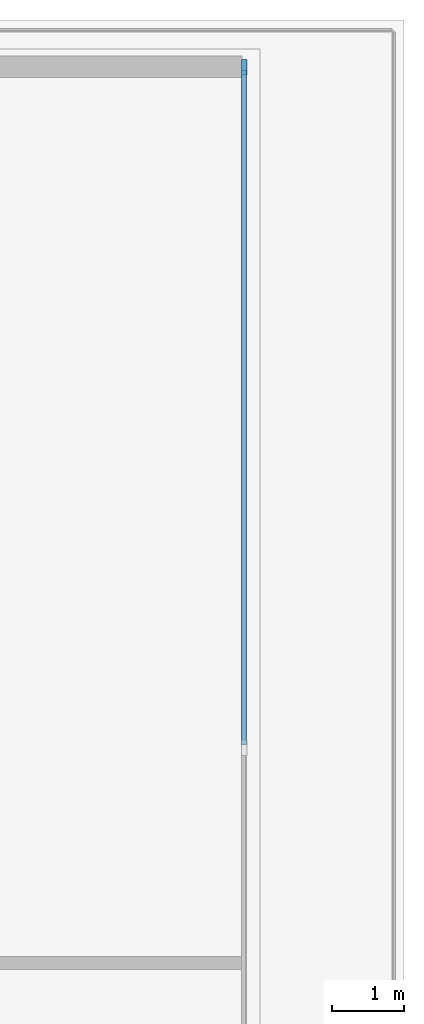
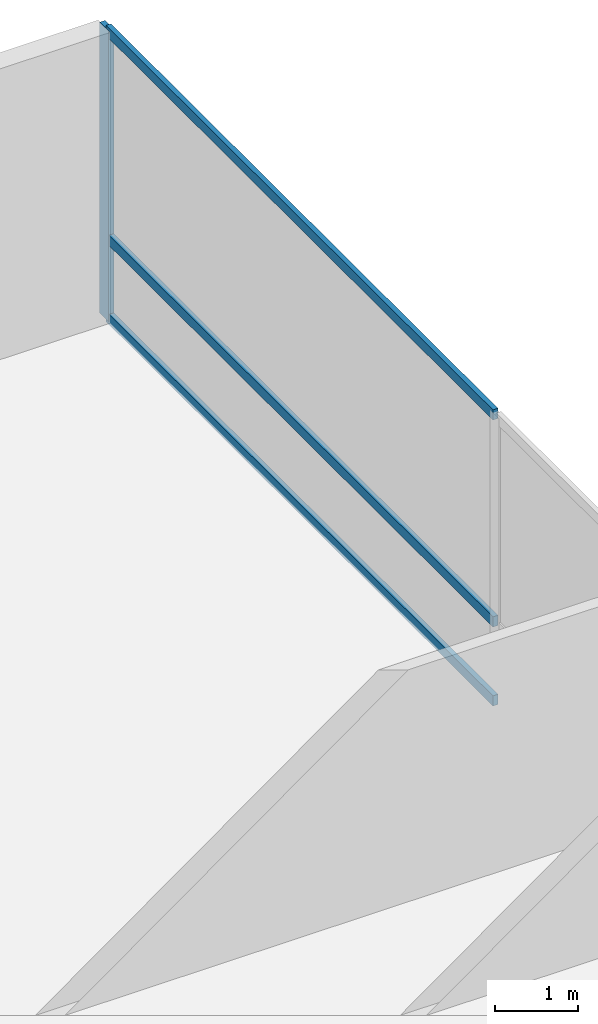
# One storey, part 8 of 26: 4 members, 1 element without a shape of its own.
"""IFC4 building model written with IfcOpenShell, lengths in metres."""

from ifc_helpers import new_model, si_unit, direction, frame, origin, origin_2d, place, context, subcontext, project, spatial, rectangle, extrude, material, layer, layer_set, material_profile, profile_set, type_object, element, aggregate, save


model = new_model("IFC4")

# Units and contexts
model_context = context("Model", 3, precision=1e-05, world=origin(), true_north=direction((0.0, 1.0)))
body_context = subcontext(model_context, "Body", "Model", "MODEL_VIEW")
ifc_project = project(units=[si_unit("LENGTHUNIT", "METRE"), si_unit("AREAUNIT", "SQUARE_METRE"), si_unit("VOLUMEUNIT", "CUBIC_METRE"), si_unit("PLANEANGLEUNIT", "RADIAN"), si_unit("MASSUNIT", "GRAM", prefix="KILO")], contexts=[model_context])

# Site, building, storey
site_placement = place(None, origin())
site = spatial("IfcSite", under=ifc_project, at=site_placement, CompositionType="ELEMENT")
building_placement = place(site_placement, origin())
building = spatial("IfcBuilding", under=site, at=building_placement, Name="Qalmaran Belvedere Hotel", CompositionType="ELEMENT")
storey_placement = place(building_placement, frame((0.0, 0.0, 19.199951171875)))
storey = spatial("IfcBuildingStorey", under=building, at=storey_placement, Name="L04", CompositionType="ELEMENT", Elevation=19.199951171875)

# Curtain wall, members
ifc_material = material(Name="Anodised Bronze Aluminium", Category="aluminium")
ifc_layer = layer(ifc_material, 0.219970703125, Name="Anodised Bronze Aluminium")
ifc_layer_set = layer_set([ifc_layer], Name="Anodised Bronze Aluminium")
curtain_wall_type = type_object("IfcCurtainWallType", Name="CW1-PODIUM-BRONZE", PredefinedType="NOTDEFINED", material=ifc_layer_set)
curtain_wall_placement = place(storey_placement, origin())
curtain_wall = element("IfcCurtainWall", 1, at=curtain_wall_placement, inside=storey, type_object=curtain_wall_type, Name="L04 Curtain Wall CW1", PredefinedType="NOTDEFINED")
ifc_material_profile_1 = material_profile(ifc_material, rectangle(XDim=0.074951171875, YDim=0.219970703125, at=origin_2d()), Name="CWM75X220")
ifc_profile_set_1 = profile_set([ifc_material_profile_1], Name="Anodised Bronze Aluminium")
member_type_1 = type_object("IfcMemberType", Name="CWM-75X220", PredefinedType="MULLION", material=ifc_profile_set_1)
member_1_placement = place(storey_placement, frame((67.780029296875, 49.142578125, 0.0), z_axis=(0.0, 0.0, 1.0), x_axis=(-1.0, 0.0, 0.0)))
member_1 = element("IfcMember", 2, at=member_1_placement, type_object=member_type_1, Name="CW1 mullion 6", PredefinedType="MULLION", context=body_context, shape_type="SweptSolid", body=[
    extrude(rectangle(XDim=0.074951171875, YDim=0.219970703125, at=origin_2d()), origin(), (0.0, 0.0, 1.0), 4.300048828125),
])
ifc_material_profile_2 = material_profile(ifc_material, rectangle(XDim=0.070068359375, YDim=0.14990234375, at=origin_2d()), Name="CWT70X150")
ifc_profile_set_2 = profile_set([ifc_material_profile_2], Name="Anodised Bronze Aluminium")
member_type_2 = type_object("IfcMemberType", Name="CWT-70X150", PredefinedType="USERDEFINED", material=ifc_profile_set_2)
member_2_placement = place(storey_placement, frame((67.780029296875, 39.7255859375, 0.03515625), z_axis=(0.0, 1.0, 0.0), x_axis=(-1.0, 0.0, 0.0)))
member_2 = element("IfcMember", 3, at=member_2_placement, type_object=member_type_2, Name="CW1 transom 5.1", ObjectType="TRANSOM", PredefinedType="USERDEFINED", context=body_context, shape_type="SweptSolid", body=[
    extrude(rectangle(XDim=0.070068359375, YDim=0.14990234375, at=origin_2d()), origin(), (0.0, 0.0, 1.0), 9.37939453125),
])
member_3_placement = place(storey_placement, frame((67.780029296875, 39.7255859375, 1.2041015625), z_axis=(0.0, 1.0, 0.0), x_axis=(-1.0, 0.0, 0.0)))
member_3 = element("IfcMember", 4, at=member_3_placement, type_object=member_type_2, Name="CW1 transom 5.2", ObjectType="TRANSOM", PredefinedType="USERDEFINED", context=body_context, shape_type="SweptSolid", body=[
    extrude(rectangle(XDim=0.070068359375, YDim=0.14990234375, at=origin_2d()), origin(), (0.0, 0.0, 1.0), 9.37939453125),
])
member_4_placement = place(storey_placement, frame((67.780029296875, 39.7255859375, 4.26513671875), z_axis=(0.0, 1.0, 0.0), x_axis=(-1.0, 0.0, 0.0)))
member_4 = element("IfcMember", 5, at=member_4_placement, type_object=member_type_2, Name="CW1 transom 5.3", ObjectType="TRANSOM", PredefinedType="USERDEFINED", context=body_context, shape_type="SweptSolid", body=[
    extrude(rectangle(XDim=0.070068359375, YDim=0.14990234375, at=origin_2d()), origin(), (0.0, 0.0, 1.0), 9.37939453125),
])
aggregate(curtain_wall, [member_1, member_2, member_3, member_4])

save(model, "model.ifc")
